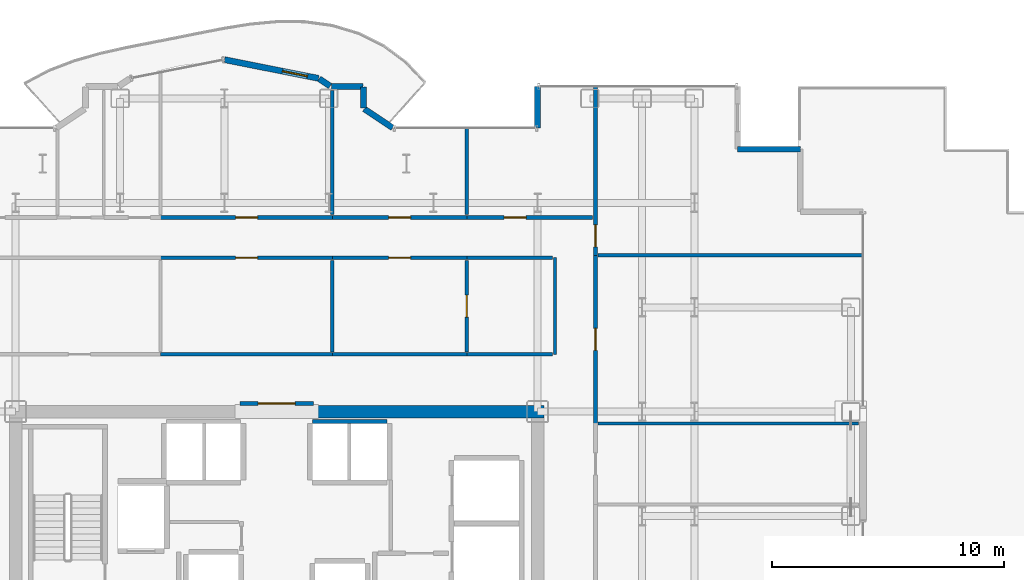
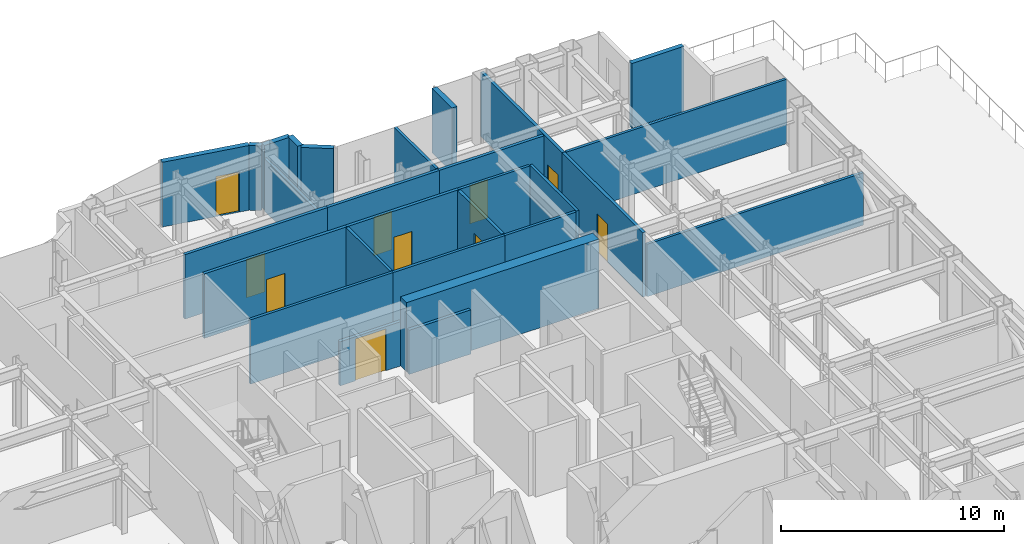
# One storey, part 24 of 27: 28 walls, 10 doors, 10 openings.
"""IFC4 building model written with IfcOpenShell, lengths in metres."""

from ifc_helpers import new_model, si_unit, direction, frame, frame_2d, origin, place, context, subcontext, project, spatial, rectangle, extrude, source, transform, mapped, material, layer, layer_set, type_object, element, fill, save


model = new_model("IFC4")

# Units and contexts
model_context = context("Model", 3, precision=1e-05, world=origin(), true_north=direction((0.0, 1.0)))
body_context = subcontext(model_context, "Body", "Model", "MODEL_VIEW")
ifc_project = project(units=[si_unit("LENGTHUNIT", "METRE"), si_unit("AREAUNIT", "SQUARE_METRE"), si_unit("VOLUMEUNIT", "CUBIC_METRE"), si_unit("PLANEANGLEUNIT", "RADIAN"), si_unit("MASSUNIT", "GRAM", prefix="KILO")], contexts=[model_context])

# Site, building, storey
site_placement = place(None, origin())
site = spatial("IfcSite", under=ifc_project, at=site_placement, CompositionType="ELEMENT")
building_placement = place(site_placement, origin())
building = spatial("IfcBuilding", under=site, at=building_placement, Name="Nefas-Gora Pilgrimage Tower", CompositionType="ELEMENT")
storey_placement = place(building_placement, frame((0.0, 0.0, 148.800048828125)))
storey = spatial("IfcBuildingStorey", under=building, at=storey_placement, Name="L36", CompositionType="ELEMENT", Elevation=148.800048828125)

# Walls
ifc_material_1 = material(Name="Concrete C60/75", Category="concrete")
ifc_layer_1 = layer(ifc_material_1, 0.550048828125)
ifc_layer_set_1 = layer_set([ifc_layer_1], Name="Concrete C60/75")
wall_type_1 = type_object("IfcWallType", Name="SW-CORE-550", PredefinedType="SHEAR", material=ifc_layer_set_1)
shared_shape_1 = source(origin(), body_context, "Body", "SweptSolid", [
    extrude(rectangle(XDim=9.974853515625, YDim=0.550048828125, at=frame_2d((4.9873046875, 0.0))), origin(), (0.0, 0.0, 1.0), 3.800048828125),
])
wall_1_placement = place(storey_placement, frame((1.550048828125, 9.0, 0.0), z_axis=(0.0, 0.0, 1.0), x_axis=(1.0, 0.0, 0.0)))
element("IfcWall", 1, at=wall_1_placement, inside=storey, type_object=wall_type_1, Name="L36 Core Shear Wall N-East", PredefinedType="SHEAR", context=body_context, shape_type="MappedRepresentation", body=[
    mapped(shared_shape_1, transform((0.0, 0.0, 0.0), x_axis=(1.0, 0.0, 0.0), y_axis=(0.0, 1.0, 0.0), z_axis=(0.0, 0.0, 1.0), scale=1.0)),
])
ifc_material_2 = material(Name="Precast concrete C40/50", Category="concrete")
ifc_layer_2 = layer(ifc_material_2, 0.260009765625)
ifc_layer_set_2 = layer_set([ifc_layer_2], Name="Precast concrete C40/50")
wall_type_2 = type_object("IfcWallType", Name="EW-PORTAL-260", PredefinedType="SOLIDWALL", material=ifc_layer_set_2)
shared_shape_2 = source(origin(), body_context, "Body", "SweptSolid", [
    extrude(rectangle(XDim=1.800048828125, YDim=0.260009765625, at=frame_2d((0.89990234375, 0.0))), origin(), (0.0, 0.0, 1.0), 3.550048828125),
])
wall_2_placement = place(storey_placement, frame((11.25, 23.02001953125, 0.0), z_axis=(0.0, 0.0, 1.0), x_axis=(0.0, -1.0, 0.0)))
element("IfcWall", 2, at=wall_2_placement, inside=storey, type_object=wall_type_2, Name="L36 Lobe Shoulder Precast Spandrel Pier 14", PredefinedType="SOLIDWALL", context=body_context, shape_type="MappedRepresentation", body=[
    mapped(shared_shape_2, transform((0.0, 0.0, 0.0), x_axis=(1.0, 0.0, 0.0), y_axis=(0.0, 1.0, 0.0), z_axis=(0.0, 0.0, 1.0), scale=1.0)),
])
ifc_material_3 = material(Name="Precast concrete C45/55", Category="concrete")
ifc_layer_3 = layer(ifc_material_3, 0.239990234375)
ifc_layer_set_3 = layer_set([ifc_layer_3], Name="Precast concrete C45/55")
wall_type_3 = type_object("IfcWallType", Name="EW-SERR-240", PredefinedType="SHEAR", material=ifc_layer_set_3)
shared_shape_3 = source(origin(), body_context, "Body", "SweptSolid", [
    extrude(rectangle(XDim=2.699951171875, YDim=0.239990234375, at=frame_2d((1.35009765625, 0.0))), origin(), (0.0, 0.0, 1.0), 3.550048828125),
])
wall_3_placement = place(storey_placement, frame((22.570068359375, 20.320068359375, 0.0), z_axis=(0.0, 0.0, 1.0), x_axis=(-1.0, 0.0, 0.0)))
element("IfcWall", 3, at=wall_3_placement, inside=storey, type_object=wall_type_3, Name="L36 Serrated Corner Shear Pier Wall 12", PredefinedType="SHEAR", context=body_context, shape_type="MappedRepresentation", body=[
    mapped(shared_shape_3, transform((0.0, 0.0, 0.0), x_axis=(1.0, 0.0, 0.0), y_axis=(0.0, 1.0, 0.0), z_axis=(0.0, 0.0, 1.0), scale=1.0)),
])
shared_shape_4 = source(origin(), body_context, "Body", "SweptSolid", [
    extrude(rectangle(XDim=1.468994140625, YDim=0.260009765625, at=frame_2d((0.734375, 0.0))), origin(), (0.0, 0.0, 1.0), 3.550048828125),
])
wall_4_placement = place(storey_placement, frame((4.99462890625, 21.235595703125, 0.0), z_axis=(0.0, 0.0, 1.0), x_axis=(-0.831461760506, 0.555581983884, 0.0)))
element("IfcWall", 4, at=wall_4_placement, inside=storey, type_object=wall_type_2, Name="L36 Lobe Shoulder Precast Spandrel Pier 15", PredefinedType="SOLIDWALL", context=body_context, shape_type="MappedRepresentation", body=[
    mapped(shared_shape_4, transform((0.0, 0.0, 0.0), x_axis=(1.0, 0.0, 0.0), y_axis=(0.0, 1.0, 0.0), z_axis=(0.0, 0.0, 1.0), scale=1.0)),
])
shared_shape_5 = source(origin(), body_context, "Body", "SweptSolid", [
    extrude(rectangle(XDim=0.896728515625, YDim=0.260009765625, at=frame_2d((0.4482421875, 0.0))), origin(), (0.0, 0.0, 1.0), 3.550048828125),
])
wall_5_placement = place(storey_placement, frame((3.75, 22.09521484375, 0.0), z_axis=(0.0, 0.0, 1.0), x_axis=(0.0, 1.0, 0.0)))
element("IfcWall", 5, at=wall_5_placement, inside=storey, type_object=wall_type_2, Name="L36 Lobe Shoulder Precast Spandrel Pier 16", PredefinedType="SOLIDWALL", context=body_context, shape_type="MappedRepresentation", body=[
    mapped(shared_shape_5, transform((0.0, 0.0, 0.0), x_axis=(1.0, 0.0, 0.0), y_axis=(0.0, 1.0, 0.0), z_axis=(0.0, 0.0, 1.0), scale=1.0)),
])
shared_shape_6 = source(origin(), body_context, "Body", "SweptSolid", [
    extrude(rectangle(XDim=1.369873046875, YDim=0.260009765625, at=frame_2d((0.68505859375, 0.0))), origin(), (0.0, 0.0, 1.0), 3.550048828125),
])
wall_6_placement = place(storey_placement, frame((3.721923828125, 23.02001953125, 0.0), z_axis=(0.0, 0.0, 1.0), x_axis=(-1.0, 0.0, 0.0)))
element("IfcWall", 6, at=wall_6_placement, inside=storey, type_object=wall_type_2, Name="L36 Lobe Shoulder Precast Spandrel Pier 17", PredefinedType="SOLIDWALL", context=body_context, shape_type="MappedRepresentation", body=[
    mapped(shared_shape_6, transform((0.0, 0.0, 0.0), x_axis=(1.0, 0.0, 0.0), y_axis=(0.0, 1.0, 0.0), z_axis=(0.0, 0.0, 1.0), scale=1.0)),
])
shared_shape_7 = source(origin(), body_context, "Body", "SweptSolid", [
    extrude(rectangle(XDim=0.5654296875, YDim=0.260009765625, at=frame_2d((0.28271484375, 0.0))), origin(), (0.0, 0.0, 1.0), 3.550048828125),
])
wall_7_placement = place(storey_placement, frame((2.30078125, 23.03564453125, 0.0), z_axis=(0.0, 0.0, 1.0), x_axis=(-0.831651492666, 0.555297933317, 0.0)))
element("IfcWall", 7, at=wall_7_placement, inside=storey, type_object=wall_type_2, Name="L36 Lobe Shoulder Precast Spandrel Pier 18", PredefinedType="SOLIDWALL", context=body_context, shape_type="MappedRepresentation", body=[
    mapped(shared_shape_7, transform((0.0, 0.0, 0.0), x_axis=(1.0, 0.0, 0.0), y_axis=(0.0, 1.0, 0.0), z_axis=(0.0, 0.0, 1.0), scale=1.0)),
])

# Wall, opening, door
shared_shape_8 = source(origin(), body_context, "Body", "SweptSolid", [
    extrude(rectangle(XDim=4.136962890625, YDim=0.260009765625, at=frame_2d((2.068359375, 0.0))), origin(), (0.0, 0.0, 1.0), 3.550048828125),
])
wall_8_placement = place(storey_placement, frame((1.807373046875, 23.365234375, 0.0), z_axis=(0.0, 0.0, 1.0), x_axis=(-0.980782170794, 0.195105954428, 0.0)))
wall_8 = element("IfcWall", 8, at=wall_8_placement, inside=storey, type_object=wall_type_2, Name="L36 Insulated Terrace Portal Wall 19", PredefinedType="SOLIDWALL", context=body_context, shape_type="MappedRepresentation", body=[
    mapped(shared_shape_8, transform((0.0, 0.0, 0.0), x_axis=(1.0, 0.0, 0.0), y_axis=(0.0, 1.0, 0.0), z_axis=(0.0, 0.0, 1.0), scale=1.0)),
])
opening_1_placement = place(wall_8_placement, frame((0.48779296875, 0.0, 0.0)))
opening_1 = element("IfcOpeningElement", 9, at=opening_1_placement, cuts=wall_8, Name="Opening ED-B1", PredefinedType="OPENING", context=body_context, shape_type="SweptSolid", body=[
    extrude(rectangle(XDim=1.10009765625, YDim=2.199951171875, at=frame_2d((0.550048828125, 1.10009765625))), frame((0.0, 0.139892578125, 0.0), z_axis=(0.0, -1.0, 0.0), x_axis=(1.0, 0.0, 0.0)), (0.0, 0.0, 1.0), 0.280029296875),
])
ifc_material_4 = material(Name="Thermally broken glazed aluminium balcony door", Category="aluminium")
door_type_1 = type_object("IfcDoorType", Name="DR-EXT-BAL-1100", OperationType="NOTDEFINED", PredefinedType="DOOR", material=ifc_material_4)
shared_shape_9 = source(origin(), body_context, "Body", "SweptSolid", [
    extrude(rectangle(XDim=1.10009765625, YDim=2.199951171875, at=frame_2d((0.550048828125, 1.10009765625))), frame((0.0, 0.02490234375, 0.0), z_axis=(0.0, -1.0, 0.0), x_axis=(1.0, 0.0, 0.0)), (0.0, 0.0, 1.0), 0.050048828125),
])
door_1_placement = place(opening_1_placement, origin())
door_1 = element("IfcDoor", 10, at=door_1_placement, inside=storey, type_object=door_type_1, Name="L36 Exterior Door (L36 N Lobe Wave Balcony)", OperationType="SINGLE_SWING_RIGHT", OverallHeight=2.199951171875, OverallWidth=1.10009765625, PredefinedType="DOOR", context=body_context, shape_type="MappedRepresentation", body=[
    mapped(shared_shape_9, transform((0.0, 0.0, 0.0), x_axis=(1.0, 0.0, 0.0), y_axis=(0.0, 1.0, 0.0), z_axis=(0.0, 0.0, 1.0), scale=1.0)),
])
fill(opening_1, door_1)

# Wall
ifc_material_5 = material(Name="Gypsum acoustic stud partition")
ifc_layer_4 = layer(ifc_material_5, 0.159912109375)
ifc_layer_set_4 = layer_set([ifc_layer_4], Name="Gypsum acoustic stud partition")
wall_type_4 = type_object("IfcWallType", Name="IW-CORR-160", PredefinedType="PARTITIONING", material=ifc_layer_set_4)
shared_shape_10 = source(origin(), body_context, "Body", "SweptSolid", [
    extrude(rectangle(XDim=3.199951171875, YDim=0.159912109375, at=frame_2d((1.60009765625, 0.0))), origin(), (0.0, 0.0, 1.0), 2.425048828125),
])
wall_9_placement = place(storey_placement, frame((4.75, 8.580078125, 0.0), z_axis=(0.0, 0.0, 1.0), x_axis=(-1.0, 0.0, 0.0)))
element("IfcWall", 11, at=wall_9_placement, inside=storey, type_object=wall_type_4, Name="L36 Hoistway Wall PL1-E-N", PredefinedType="PARTITIONING", context=body_context, shape_type="MappedRepresentation", body=[
    mapped(shared_shape_10, transform((0.0, 0.0, 0.0), x_axis=(1.0, 0.0, 0.0), y_axis=(0.0, 1.0, 0.0), z_axis=(0.0, 0.0, 1.0), scale=1.0)),
])

# Wall, opening, door
shared_shape_11 = source(origin(), body_context, "Body", "SweptSolid", [
    extrude(rectangle(XDim=5.81005859375, YDim=0.159912109375, at=frame_2d((2.905029296875, 0.0))), origin(), (0.0, 0.0, 1.0), 3.534912109375),
])
wall_10_placement = place(storey_placement, frame((2.39501953125, 17.3701171875, 0.0), z_axis=(0.0, 0.0, 1.0), x_axis=(1.0, 0.0, 0.0)))
wall_10 = element("IfcWall", 12, at=wall_10_placement, inside=storey, type_object=wall_type_4, Name="L36 Pilgrim Contemplative Lounge Partition Wall 54", PredefinedType="PARTITIONING", context=body_context, shape_type="MappedRepresentation", body=[
    mapped(shared_shape_11, transform((0.0, 0.0, 0.0), x_axis=(1.0, 0.0, 0.0), y_axis=(0.0, 1.0, 0.0), z_axis=(0.0, 0.0, 1.0), scale=1.0)),
])
opening_2_placement = place(wall_10_placement, frame((2.429931640625, 0.0, 0.0)))
opening_2 = element("IfcOpeningElement", 13, at=opening_2_placement, cuts=wall_10, Name="Opening ID-GR1", PredefinedType="OPENING", context=body_context, shape_type="SweptSolid", body=[
    extrude(rectangle(XDim=0.949951171875, YDim=2.10009765625, at=frame_2d((0.47509765625, 1.050048828125))), frame((0.0, 0.08984375, 0.0), z_axis=(0.0, -1.0, 0.0), x_axis=(1.0, 0.0, 0.0)), (0.0, 0.0, 1.0), 0.179931640625),
])
ifc_material_6 = material(Name="Solid core oak fire-rated guest entrance door")
door_type_2 = type_object("IfcDoorType", Name="DR-INT-GUEST-950", OperationType="NOTDEFINED", PredefinedType="DOOR", material=ifc_material_6)
shared_shape_12 = source(origin(), body_context, "Body", "SweptSolid", [
    extrude(rectangle(XDim=0.949951171875, YDim=2.10009765625, at=frame_2d((0.47509765625, 1.050048828125))), frame((0.0, 0.02490234375, 0.0), z_axis=(0.0, -1.0, 0.0), x_axis=(1.0, 0.0, 0.0)), (0.0, 0.0, 1.0), 0.050048828125),
])
door_2_placement = place(opening_2_placement, origin())
door_2 = element("IfcDoor", 14, at=door_2_placement, inside=storey, type_object=door_type_2, Name="L36 Pilgrim Contemplative Lounge Door 24", OperationType="SINGLE_SWING_RIGHT", OverallHeight=2.10009765625, OverallWidth=0.949951171875, PredefinedType="DOOR", context=body_context, shape_type="MappedRepresentation", body=[
    mapped(shared_shape_12, transform((0.0, 0.0, 0.0), x_axis=(1.0, 0.0, 0.0), y_axis=(0.0, 1.0, 0.0), z_axis=(0.0, 0.0, 1.0), scale=1.0)),
])
fill(opening_2, door_2)

wall_11_placement = place(storey_placement, frame((2.39501953125, 15.6298828125, 0.0), z_axis=(0.0, 0.0, 1.0), x_axis=(1.0, 0.0, 0.0)))
wall_11 = element("IfcWall", 15, at=wall_11_placement, inside=storey, type_object=wall_type_4, Name="L36 Pilgrim Contemplative Lounge Partition Wall 56", PredefinedType="PARTITIONING", context=body_context, shape_type="MappedRepresentation", body=[
    mapped(shared_shape_11, transform((0.0, 0.0, 0.0), x_axis=(1.0, 0.0, 0.0), y_axis=(0.0, 1.0, 0.0), z_axis=(0.0, 0.0, 1.0), scale=1.0)),
])
opening_3_placement = place(wall_11_placement, frame((2.429931640625, 0.0, 0.0)))
opening_3 = element("IfcOpeningElement", 16, at=opening_3_placement, cuts=wall_11, Name="Opening ID-GR1", PredefinedType="OPENING", context=body_context, shape_type="SweptSolid", body=[
    extrude(rectangle(XDim=0.949951171875, YDim=2.10009765625, at=frame_2d((0.47509765625, 1.050048828125))), frame((0.0, 0.08984375, 0.0), z_axis=(0.0, -1.0, 0.0), x_axis=(1.0, 0.0, 0.0)), (0.0, 0.0, 1.0), 0.179931640625),
])
door_3_placement = place(opening_3_placement, origin())
door_3 = element("IfcDoor", 17, at=door_3_placement, inside=storey, type_object=door_type_2, Name="L36 Pilgrim Contemplative Lounge Door 25", OperationType="SINGLE_SWING_LEFT", OverallHeight=2.10009765625, OverallWidth=0.949951171875, PredefinedType="DOOR", context=body_context, shape_type="MappedRepresentation", body=[
    mapped(shared_shape_12, transform((0.0, 0.0, 0.0), x_axis=(1.0, 0.0, 0.0), y_axis=(0.0, 1.0, 0.0), z_axis=(0.0, 0.0, 1.0), scale=1.0)),
])
fill(opening_3, door_3)

shared_shape_13 = source(origin(), body_context, "Body", "SweptSolid", [
    extrude(rectangle(XDim=5.425048828125, YDim=0.159912109375, at=frame_2d((2.71240234375, 0.0))), origin(), (0.0, 0.0, 1.0), 3.534912109375),
])
wall_12_placement = place(storey_placement, frame((8.195068359375, 17.3701171875, 0.0), z_axis=(0.0, 0.0, 1.0), x_axis=(1.0, 0.0, 0.0)))
wall_12 = element("IfcWall", 18, at=wall_12_placement, inside=storey, type_object=wall_type_4, Name="L36 Pilgrim Contemplative Lounge Partition Wall 59", PredefinedType="PARTITIONING", context=body_context, shape_type="MappedRepresentation", body=[
    mapped(shared_shape_13, transform((0.0, 0.0, 0.0), x_axis=(1.0, 0.0, 0.0), y_axis=(0.0, 1.0, 0.0), z_axis=(0.0, 0.0, 1.0), scale=1.0)),
])
opening_4_placement = place(wall_12_placement, frame((1.611083984375, 0.0, 0.0)))
opening_4 = element("IfcOpeningElement", 19, at=opening_4_placement, cuts=wall_12, Name="Opening ID-GR1", PredefinedType="OPENING", context=body_context, shape_type="SweptSolid", body=[
    extrude(rectangle(XDim=0.949951171875, YDim=2.10009765625, at=frame_2d((0.47509765625, 1.050048828125))), frame((0.0, 0.08984375, 0.0), z_axis=(0.0, -1.0, 0.0), x_axis=(1.0, 0.0, 0.0)), (0.0, 0.0, 1.0), 0.179931640625),
])
door_4_placement = place(opening_4_placement, origin())
door_4 = element("IfcDoor", 20, at=door_4_placement, inside=storey, type_object=door_type_2, Name="L36 Pilgrim Contemplative Lounge Door 27", OperationType="SINGLE_SWING_LEFT", OverallHeight=2.10009765625, OverallWidth=0.949951171875, PredefinedType="DOOR", context=body_context, shape_type="MappedRepresentation", body=[
    mapped(shared_shape_12, transform((0.0, 0.0, 0.0), x_axis=(1.0, 0.0, 0.0), y_axis=(0.0, 1.0, 0.0), z_axis=(0.0, 0.0, 1.0), scale=1.0)),
])
fill(opening_4, door_4)

shared_shape_14 = source(origin(), body_context, "Body", "SweptSolid", [
    extrude(rectangle(XDim=3.16015625, YDim=0.159912109375, at=frame_2d((1.580078125, 0.0))), origin(), (0.0, 0.0, 1.0), 2.425048828125),
])
wall_13_placement = place(storey_placement, frame((-1.580078125, 9.35009765625, 0.0), z_axis=(0.0, 0.0, 1.0), x_axis=(1.0, 0.0, 0.0)))
wall_13 = element("IfcWall", 21, at=wall_13_placement, inside=storey, type_object=wall_type_4, Name="L36 Central Lift Lobby North Portal Wall 13", PredefinedType="PARTITIONING", context=body_context, shape_type="MappedRepresentation", body=[
    mapped(shared_shape_14, transform((0.0, 0.0, 0.0), x_axis=(1.0, 0.0, 0.0), y_axis=(0.0, 1.0, 0.0), z_axis=(0.0, 0.0, 1.0), scale=1.0)),
])
opening_5_placement = place(wall_13_placement, frame((0.780029296875, 0.0, 0.0)))
opening_5 = element("IfcOpeningElement", 22, at=opening_5_placement, cuts=wall_13, Name="Opening ID-HL1", PredefinedType="OPENING", context=body_context, shape_type="SweptSolid", body=[
    extrude(rectangle(XDim=1.60009765625, YDim=2.300048828125, at=frame_2d((0.800048828125, 1.14990234375))), frame((0.0, 0.08984375, 0.0), z_axis=(0.0, -1.0, 0.0), x_axis=(1.0, 0.0, 0.0)), (0.0, 0.0, 1.0), 0.179931640625),
])
ifc_material_7 = material(Name="Double acoustic timber assembly hall door", Category="wood")
door_type_3 = type_object("IfcDoorType", Name="DR-INT-HALL-1600", OperationType="DOUBLE_DOOR_SINGLE_SWING", PredefinedType="DOOR", material=ifc_material_7)
shared_shape_15 = source(origin(), body_context, "Body", "SweptSolid", [
    extrude(rectangle(XDim=1.60009765625, YDim=2.300048828125, at=frame_2d((0.800048828125, 1.14990234375))), frame((0.0, 0.02490234375, 0.0), z_axis=(0.0, -1.0, 0.0), x_axis=(1.0, 0.0, 0.0)), (0.0, 0.0, 1.0), 0.050048828125),
])
door_5_placement = place(opening_5_placement, origin())
door_5 = element("IfcDoor", 23, at=door_5_placement, inside=storey, type_object=door_type_3, Name="L36 Central Lift Lobby North Portal Door 4", OperationType="DOUBLE_DOOR_SINGLE_SWING", OverallHeight=2.300048828125, OverallWidth=1.60009765625, PredefinedType="DOOR", context=body_context, shape_type="MappedRepresentation", body=[
    mapped(shared_shape_15, transform((0.0, 0.0, 0.0), x_axis=(1.0, 0.0, 0.0), y_axis=(0.0, 1.0, 0.0), z_axis=(0.0, 0.0, 1.0), scale=1.0)),
])
fill(opening_5, door_5)

# Walls
ifc_material_8 = material(Name="Gypsum twin-stud partition")
ifc_layer_5 = layer(ifc_material_8, 0.139892578125)
ifc_layer_set_5 = layer_set([ifc_layer_5], Name="Gypsum twin-stud partition")
wall_type_5 = type_object("IfcWallType", Name="IW-UNIT-140", PredefinedType="PARTITIONING", material=ifc_layer_set_5)
shared_shape_16 = source(origin(), body_context, "Body", "SweptSolid", [
    extrude(rectangle(XDim=11.429931640625, YDim=0.139892578125, at=frame_2d((5.71484375, 0.0))), origin(), (0.0, 0.0, 1.0), 3.534912109375),
])
wall_14_placement = place(storey_placement, frame((13.860107421875, 15.74755859375, 0.0), z_axis=(0.0, 0.0, 1.0), x_axis=(1.0, 0.0, 0.0)))
element("IfcWall", 24, at=wall_14_placement, inside=storey, type_object=wall_type_5, Name="L36 Pilgrim Contemplative Lounge Partition Wall 40", PredefinedType="PARTITIONING", context=body_context, shape_type="MappedRepresentation", body=[
    mapped(shared_shape_16, transform((0.0, 0.0, 0.0), x_axis=(1.0, 0.0, 0.0), y_axis=(0.0, 1.0, 0.0), z_axis=(0.0, 0.0, 1.0), scale=1.0)),
])
shared_shape_17 = source(origin(), body_context, "Body", "SweptSolid", [
    extrude(rectangle(XDim=11.219970703125, YDim=0.139892578125, at=frame_2d((5.60986328125, 0.0))), origin(), (0.0, 0.0, 1.0), 2.875),
])
wall_15_placement = place(storey_placement, frame((13.860107421875, 8.4951171875, 0.0), z_axis=(0.0, 0.0, 1.0), x_axis=(1.0, 0.0, 0.0)))
element("IfcWall", 25, at=wall_15_placement, inside=storey, type_object=wall_type_5, Name="L36 Scripture Reading Study Partition Wall 38", PredefinedType="PARTITIONING", context=body_context, shape_type="MappedRepresentation", body=[
    mapped(shared_shape_17, transform((0.0, 0.0, 0.0), x_axis=(1.0, 0.0, 0.0), y_axis=(0.0, 1.0, 0.0), z_axis=(0.0, 0.0, 1.0), scale=1.0)),
])

# Wall, opening, door
shared_shape_18 = source(origin(), body_context, "Body", "SweptSolid", [
    extrude(rectangle(XDim=7.302490234375, YDim=0.159912109375, at=frame_2d((3.6513671875, 0.0))), origin(), (0.0, 0.0, 1.0), 3.534912109375),
])
wall_16_placement = place(storey_placement, frame((13.739990234375, 15.737548828125, 0.0), z_axis=(0.0, 0.0, 1.0), x_axis=(0.0, 1.0, 0.0)))
wall_16 = element("IfcWall", 26, at=wall_16_placement, inside=storey, type_object=wall_type_4, Name="L36 Pilgrim Contemplative Lounge Partition Wall 39", PredefinedType="PARTITIONING", context=body_context, shape_type="MappedRepresentation", body=[
    mapped(shared_shape_18, transform((0.0, 0.0, 0.0), x_axis=(1.0, 0.0, 0.0), y_axis=(0.0, 1.0, 0.0), z_axis=(0.0, 0.0, 1.0), scale=1.0)),
])
opening_6_placement = place(wall_16_placement, frame((0.361328125, 0.0, 0.0)))
opening_6 = element("IfcOpeningElement", 27, at=opening_6_placement, cuts=wall_16, Name="Opening ID-GR1", PredefinedType="OPENING", context=body_context, shape_type="SweptSolid", body=[
    extrude(rectangle(XDim=0.949951171875, YDim=2.10009765625, at=frame_2d((0.47509765625, 1.050048828125))), frame((0.0, 0.08984375, 0.0), z_axis=(0.0, -1.0, 0.0), x_axis=(1.0, 0.0, 0.0)), (0.0, 0.0, 1.0), 0.179931640625),
])
door_6_placement = place(opening_6_placement, origin())
door_6 = element("IfcDoor", 28, at=door_6_placement, inside=storey, type_object=door_type_2, Name="L36 Pilgrim Contemplative Lounge Door 17", OperationType="SINGLE_SWING_LEFT", OverallHeight=2.10009765625, OverallWidth=0.949951171875, PredefinedType="DOOR", context=body_context, shape_type="MappedRepresentation", body=[
    mapped(shared_shape_12, transform((0.0, 0.0, 0.0), x_axis=(1.0, 0.0, 0.0), y_axis=(0.0, 1.0, 0.0), z_axis=(0.0, 0.0, 1.0), scale=1.0)),
])
fill(opening_6, door_6)

shared_shape_19 = source(origin(), body_context, "Body", "SweptSolid", [
    extrude(rectangle(XDim=7.242431640625, YDim=0.159912109375, at=frame_2d((3.62109375, 0.0))), origin(), (0.0, 0.0, 1.0), 3.534912109375),
])
wall_17_placement = place(storey_placement, frame((13.739990234375, 8.4951171875, 0.0), z_axis=(0.0, 0.0, 1.0), x_axis=(0.0, 1.0, 0.0)))
wall_17 = element("IfcWall", 29, at=wall_17_placement, inside=storey, type_object=wall_type_4, Name="L36 Pilgrim Contemplative Lounge Partition Wall 41", PredefinedType="PARTITIONING", context=body_context, shape_type="MappedRepresentation", body=[
    mapped(shared_shape_19, transform((0.0, 0.0, 0.0), x_axis=(1.0, 0.0, 0.0), y_axis=(0.0, 1.0, 0.0), z_axis=(0.0, 0.0, 1.0), scale=1.0)),
])
opening_7_placement = place(wall_17_placement, frame((3.146240234375, 0.0, 0.0)))
opening_7 = element("IfcOpeningElement", 30, at=opening_7_placement, cuts=wall_17, Name="Opening ID-GR1", PredefinedType="OPENING", context=body_context, shape_type="SweptSolid", body=[
    extrude(rectangle(XDim=0.949951171875, YDim=2.10009765625, at=frame_2d((0.47509765625, 1.050048828125))), frame((0.0, 0.08984375, 0.0), z_axis=(0.0, -1.0, 0.0), x_axis=(1.0, 0.0, 0.0)), (0.0, 0.0, 1.0), 0.179931640625),
])
door_7_placement = place(opening_7_placement, origin())
door_7 = element("IfcDoor", 31, at=door_7_placement, inside=storey, type_object=door_type_2, Name="L36 Pilgrim Contemplative Lounge Door 18", OperationType="SINGLE_SWING_RIGHT", OverallHeight=2.10009765625, OverallWidth=0.949951171875, PredefinedType="DOOR", context=body_context, shape_type="MappedRepresentation", body=[
    mapped(shared_shape_12, transform((0.0, 0.0, 0.0), x_axis=(1.0, 0.0, 0.0), y_axis=(0.0, 1.0, 0.0), z_axis=(0.0, 0.0, 1.0), scale=1.0)),
])
fill(opening_7, door_7)

# Wall
shared_shape_20 = source(origin(), body_context, "Body", "SweptSolid", [
    extrude(rectangle(XDim=3.929931640625, YDim=0.139892578125, at=frame_2d((1.96484375, 0.0))), origin(), (0.0, 0.0, 1.0), 3.534912109375),
])
wall_18_placement = place(storey_placement, frame((2.39501953125, 11.580078125, 0.0), z_axis=(0.0, 0.0, 1.0), x_axis=(0.0, 1.0, 0.0)))
element("IfcWall", 32, at=wall_18_placement, inside=storey, type_object=wall_type_5, Name="L36 Pilgrim Contemplative Lounge Partition Wall 53", PredefinedType="PARTITIONING", context=body_context, shape_type="MappedRepresentation", body=[
    mapped(shared_shape_20, transform((0.0, 0.0, 0.0), x_axis=(1.0, 0.0, 0.0), y_axis=(0.0, 1.0, 0.0), z_axis=(0.0, 0.0, 1.0), scale=1.0)),
])

# Wall, opening, door
shared_shape_21 = source(origin(), body_context, "Body", "SweptSolid", [
    extrude(rectangle(XDim=7.409912109375, YDim=0.159912109375, at=frame_2d((3.705078125, 0.0))), origin(), (0.0, 0.0, 1.0), 3.534912109375),
])
wall_19_placement = place(storey_placement, frame((-5.0048828125, 17.3701171875, 0.0), z_axis=(0.0, 0.0, 1.0), x_axis=(1.0, 0.0, 0.0)))
wall_19 = element("IfcWall", 33, at=wall_19_placement, inside=storey, type_object=wall_type_4, Name="L36 Pilgrim Contemplative Lounge Partition Wall 49", PredefinedType="PARTITIONING", context=body_context, shape_type="MappedRepresentation", body=[
    mapped(shared_shape_21, transform((0.0, 0.0, 0.0), x_axis=(1.0, 0.0, 0.0), y_axis=(0.0, 1.0, 0.0), z_axis=(0.0, 0.0, 1.0), scale=1.0)),
])
opening_8_placement = place(wall_19_placement, frame((3.22998046875, 0.0, 0.0)))
opening_8 = element("IfcOpeningElement", 34, at=opening_8_placement, cuts=wall_19, Name="Opening ID-GR1", PredefinedType="OPENING", context=body_context, shape_type="SweptSolid", body=[
    extrude(rectangle(XDim=0.949951171875, YDim=2.10009765625, at=frame_2d((0.47509765625, 1.050048828125))), frame((0.0, 0.08984375, 0.0), z_axis=(0.0, -1.0, 0.0), x_axis=(1.0, 0.0, 0.0)), (0.0, 0.0, 1.0), 0.179931640625),
])
door_8_placement = place(opening_8_placement, origin())
door_8 = element("IfcDoor", 35, at=door_8_placement, inside=storey, type_object=door_type_2, Name="L36 Pilgrim Contemplative Lounge Door 22", OperationType="SINGLE_SWING_RIGHT", OverallHeight=2.10009765625, OverallWidth=0.949951171875, PredefinedType="DOOR", context=body_context, shape_type="MappedRepresentation", body=[
    mapped(shared_shape_12, transform((0.0, 0.0, 0.0), x_axis=(1.0, 0.0, 0.0), y_axis=(0.0, 1.0, 0.0), z_axis=(0.0, 0.0, 1.0), scale=1.0)),
])
fill(opening_8, door_8)

wall_20_placement = place(storey_placement, frame((-5.0048828125, 15.6298828125, 0.0), z_axis=(0.0, 0.0, 1.0), x_axis=(1.0, 0.0, 0.0)))
wall_20 = element("IfcWall", 36, at=wall_20_placement, inside=storey, type_object=wall_type_4, Name="L36 Pilgrim Contemplative Lounge Partition Wall 51", PredefinedType="PARTITIONING", context=body_context, shape_type="MappedRepresentation", body=[
    mapped(shared_shape_21, transform((0.0, 0.0, 0.0), x_axis=(1.0, 0.0, 0.0), y_axis=(0.0, 1.0, 0.0), z_axis=(0.0, 0.0, 1.0), scale=1.0)),
])
opening_9_placement = place(wall_20_placement, frame((3.22998046875, 0.0, 0.0)))
opening_9 = element("IfcOpeningElement", 37, at=opening_9_placement, cuts=wall_20, Name="Opening ID-GR1", PredefinedType="OPENING", context=body_context, shape_type="SweptSolid", body=[
    extrude(rectangle(XDim=0.949951171875, YDim=2.10009765625, at=frame_2d((0.47509765625, 1.050048828125))), frame((0.0, 0.08984375, 0.0), z_axis=(0.0, -1.0, 0.0), x_axis=(1.0, 0.0, 0.0)), (0.0, 0.0, 1.0), 0.179931640625),
])
door_9_placement = place(opening_9_placement, origin())
door_9 = element("IfcDoor", 38, at=door_9_placement, inside=storey, type_object=door_type_2, Name="L36 Pilgrim Contemplative Lounge Door 23", OperationType="SINGLE_SWING_LEFT", OverallHeight=2.10009765625, OverallWidth=0.949951171875, PredefinedType="DOOR", context=body_context, shape_type="MappedRepresentation", body=[
    mapped(shared_shape_12, transform((0.0, 0.0, 0.0), x_axis=(1.0, 0.0, 0.0), y_axis=(0.0, 1.0, 0.0), z_axis=(0.0, 0.0, 1.0), scale=1.0)),
])
fill(opening_9, door_9)

# Walls
shared_shape_22 = source(origin(), body_context, "Body", "SweptSolid", [
    extrude(rectangle(XDim=5.360107421875, YDim=0.139892578125, at=frame_2d((2.68017578125, 0.0))), origin(), (0.0, 0.0, 1.0), 2.875),
])
wall_21_placement = place(storey_placement, frame((2.39501953125, 17.489990234375, 0.0), z_axis=(0.0, 0.0, 1.0), x_axis=(0.0, 1.0, 0.0)))
element("IfcWall", 39, at=wall_21_placement, inside=storey, type_object=wall_type_5, Name="L36 Pilgrim Contemplative Lounge Partition Wall 50", PredefinedType="PARTITIONING", context=body_context, shape_type="MappedRepresentation", body=[
    mapped(shared_shape_22, transform((0.0, 0.0, 0.0), x_axis=(1.0, 0.0, 0.0), y_axis=(0.0, 1.0, 0.0), z_axis=(0.0, 0.0, 1.0), scale=1.0)),
])
shared_shape_23 = source(origin(), body_context, "Body", "SweptSolid", [
    extrude(rectangle(XDim=7.409912109375, YDim=0.139892578125, at=frame_2d((3.705078125, 0.0))), origin(), (0.0, 0.0, 1.0), 3.534912109375),
])
wall_22_placement = place(storey_placement, frame((-5.0048828125, 11.469970703125, 0.0), z_axis=(0.0, 0.0, 1.0), x_axis=(1.0, 0.0, 0.0)))
element("IfcWall", 40, at=wall_22_placement, inside=storey, type_object=wall_type_5, Name="L36 Pilgrim Contemplative Lounge Partition Wall 52", PredefinedType="PARTITIONING", context=body_context, shape_type="MappedRepresentation", body=[
    mapped(shared_shape_23, transform((0.0, 0.0, 0.0), x_axis=(1.0, 0.0, 0.0), y_axis=(0.0, 1.0, 0.0), z_axis=(0.0, 0.0, 1.0), scale=1.0)),
])
shared_shape_24 = source(origin(), body_context, "Body", "SweptSolid", [
    extrude(rectangle(XDim=3.75, YDim=0.139892578125, at=frame_2d((1.875, 0.0))), origin(), (0.0, 0.0, 1.0), 3.534912109375),
])
wall_23_placement = place(storey_placement, frame((8.195068359375, 17.489990234375, 0.0), z_axis=(0.0, 0.0, 1.0), x_axis=(0.0, 1.0, 0.0)))
element("IfcWall", 41, at=wall_23_placement, inside=storey, type_object=wall_type_5, Name="L36 Pilgrim Contemplative Lounge Partition Wall 55", PredefinedType="PARTITIONING", context=body_context, shape_type="MappedRepresentation", body=[
    mapped(shared_shape_24, transform((0.0, 0.0, 0.0), x_axis=(1.0, 0.0, 0.0), y_axis=(0.0, 1.0, 0.0), z_axis=(0.0, 0.0, 1.0), scale=1.0)),
])
shared_shape_25 = source(origin(), body_context, "Body", "SweptSolid", [
    extrude(rectangle(XDim=5.81005859375, YDim=0.139892578125, at=frame_2d((2.905029296875, 0.0))), origin(), (0.0, 0.0, 1.0), 3.534912109375),
])
wall_24_placement = place(storey_placement, frame((2.39501953125, 11.469970703125, 0.0), z_axis=(0.0, 0.0, 1.0), x_axis=(1.0, 0.0, 0.0)))
element("IfcWall", 42, at=wall_24_placement, inside=storey, type_object=wall_type_5, Name="L36 Pilgrim Contemplative Lounge Partition Wall 57", PredefinedType="PARTITIONING", context=body_context, shape_type="MappedRepresentation", body=[
    mapped(shared_shape_25, transform((0.0, 0.0, 0.0), x_axis=(1.0, 0.0, 0.0), y_axis=(0.0, 1.0, 0.0), z_axis=(0.0, 0.0, 1.0), scale=1.0)),
])

# Wall, opening, door
shared_shape_26 = source(origin(), body_context, "Body", "SweptSolid", [
    extrude(rectangle(XDim=3.929931640625, YDim=0.159912109375, at=frame_2d((1.96484375, 0.0))), origin(), (0.0, 0.0, 1.0), 3.534912109375),
])
wall_25_placement = place(storey_placement, frame((8.195068359375, 11.580078125, 0.0), z_axis=(0.0, 0.0, 1.0), x_axis=(0.0, 1.0, 0.0)))
wall_25 = element("IfcWall", 43, at=wall_25_placement, inside=storey, type_object=wall_type_4, Name="L36 Pilgrim Contemplative Lounge Partition Wall 58", PredefinedType="PARTITIONING", context=body_context, shape_type="MappedRepresentation", body=[
    mapped(shared_shape_26, transform((0.0, 0.0, 0.0), x_axis=(1.0, 0.0, 0.0), y_axis=(0.0, 1.0, 0.0), z_axis=(0.0, 0.0, 1.0), scale=1.0)),
])
opening_10_placement = place(wall_25_placement, frame((1.489990234375, 0.0, 0.0)))
opening_10 = element("IfcOpeningElement", 44, at=opening_10_placement, cuts=wall_25, Name="Opening ID-GR1", PredefinedType="OPENING", context=body_context, shape_type="SweptSolid", body=[
    extrude(rectangle(XDim=0.949951171875, YDim=2.10009765625, at=frame_2d((0.47509765625, 1.050048828125))), frame((0.0, 0.08984375, 0.0), z_axis=(0.0, -1.0, 0.0), x_axis=(1.0, 0.0, 0.0)), (0.0, 0.0, 1.0), 0.179931640625),
])
door_10_placement = place(opening_10_placement, origin())
door_10 = element("IfcDoor", 45, at=door_10_placement, inside=storey, type_object=door_type_2, Name="L36 Pilgrim Contemplative Lounge Door 26", OperationType="SINGLE_SWING_RIGHT", OverallHeight=2.10009765625, OverallWidth=0.949951171875, PredefinedType="DOOR", context=body_context, shape_type="MappedRepresentation", body=[
    mapped(shared_shape_12, transform((0.0, 0.0, 0.0), x_axis=(1.0, 0.0, 0.0), y_axis=(0.0, 1.0, 0.0), z_axis=(0.0, 0.0, 1.0), scale=1.0)),
])
fill(opening_10, door_10)

# Walls
shared_shape_27 = source(origin(), body_context, "Body", "SweptSolid", [
    extrude(rectangle(XDim=4.179931640625, YDim=0.139892578125, at=frame_2d((2.08984375, 0.0))), origin(), (0.0, 0.0, 1.0), 3.534912109375),
])
wall_26_placement = place(storey_placement, frame((12.0, 11.4599609375, 0.0), z_axis=(0.0, 0.0, 1.0), x_axis=(0.0, 1.0, 0.0)))
element("IfcWall", 46, at=wall_26_placement, inside=storey, type_object=wall_type_5, Name="L36 Pilgrim Contemplative Lounge Partition Wall 60", PredefinedType="PARTITIONING", context=body_context, shape_type="MappedRepresentation", body=[
    mapped(shared_shape_27, transform((0.0, 0.0, 0.0), x_axis=(1.0, 0.0, 0.0), y_axis=(0.0, 1.0, 0.0), z_axis=(0.0, 0.0, 1.0), scale=1.0)),
])
shared_shape_28 = source(origin(), body_context, "Body", "SweptSolid", [
    extrude(rectangle(XDim=3.69482421875, YDim=0.139892578125, at=frame_2d((1.847412109375, 0.0))), origin(), (0.0, 0.0, 1.0), 3.534912109375),
])
for number, where, z_axis, x_axis, name in (
    (47, (8.195068359375, 15.6298828125, 0.0), (0.0, 0.0, 1.0), (1.0, 0.0, 0.0), "L36 Pilgrim Contemplative Lounge Partition Wall 61"),
    (48, (8.195068359375, 11.469970703125, 0.0), (0.0, 0.0, 1.0), (1.0, 0.0, 0.0), "L36 Pilgrim Contemplative Lounge Partition Wall 62"),
):
    element("IfcWall", number, at=place(storey_placement, frame(where, z_axis=z_axis, x_axis=x_axis)), inside=storey, type_object=wall_type_5, Name=name, PredefinedType="PARTITIONING", context=body_context, shape_type="MappedRepresentation", body=[
        mapped(shared_shape_28, transform((0.0, 0.0, 0.0), x_axis=(1.0, 0.0, 0.0), y_axis=(0.0, 1.0, 0.0), z_axis=(0.0, 0.0, 1.0), scale=1.0)),
    ])

save(model, "model.ifc")
